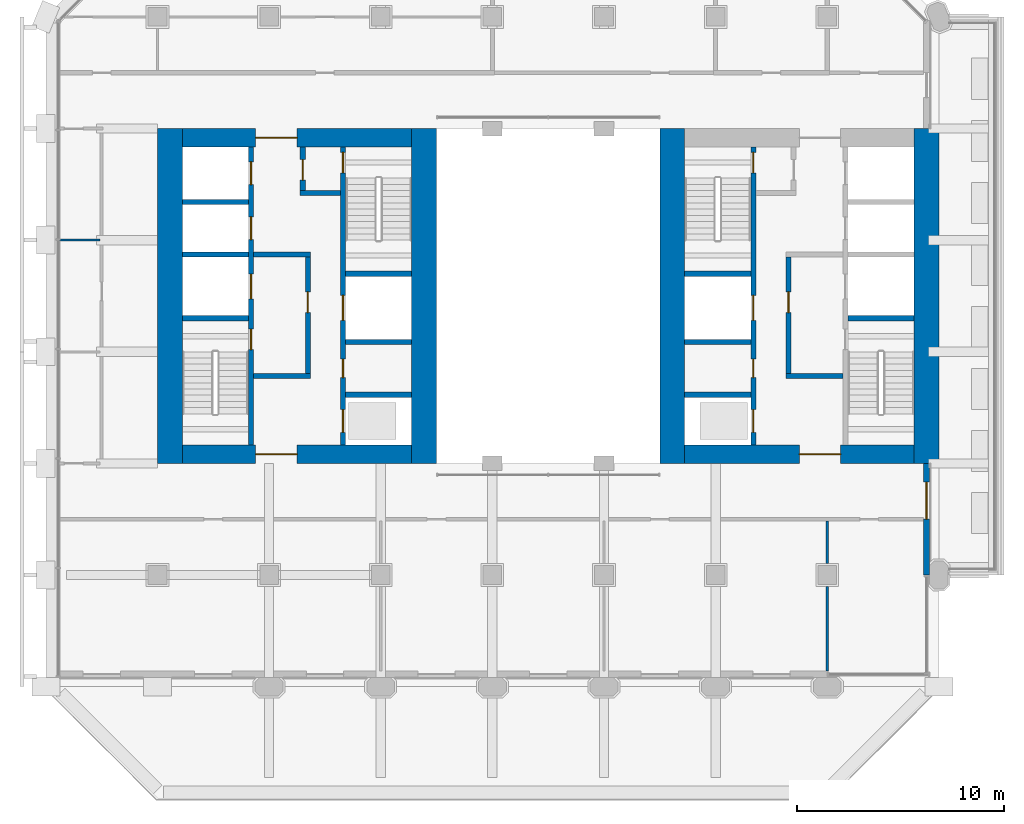
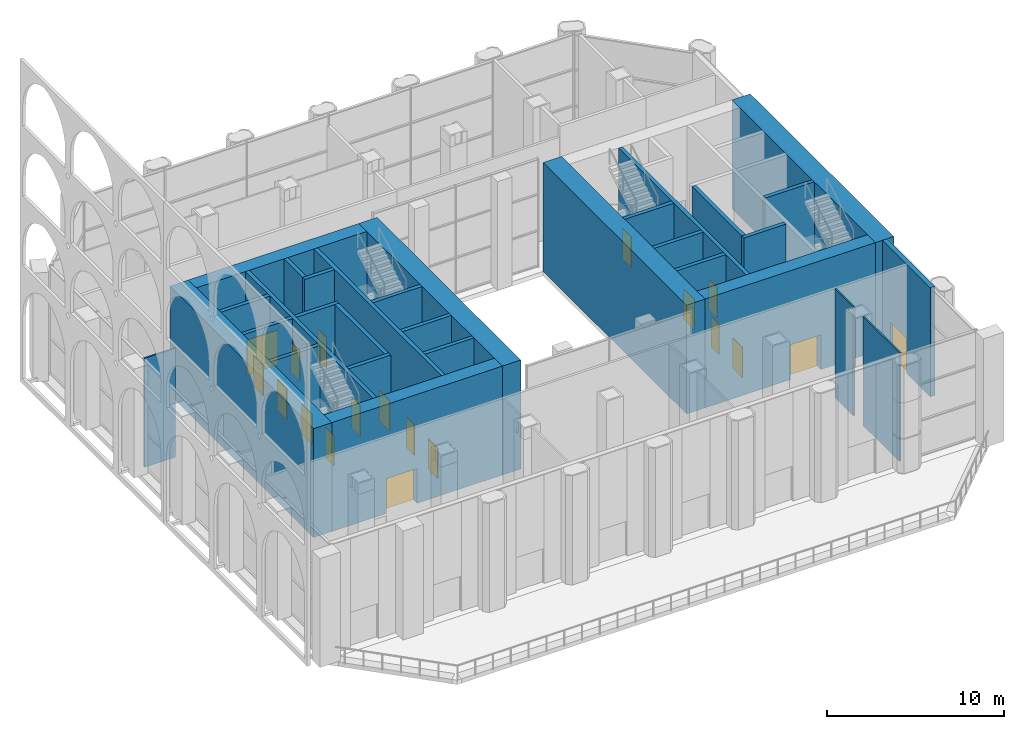
# One storey, part 10 of 20: 31 walls, 19 doors, 19 openings.
"""IFC4 building model written with IfcOpenShell, lengths in metres."""

from ifc_helpers import new_model, si_unit, direction, frame, frame_2d, origin, place, context, subcontext, project, spatial, rectangle, extrude, material, layer, layer_set, type_object, element, fill, save


model = new_model("IFC4")

# Units and contexts
model_context = context("Model", 3, precision=1e-05, world=origin(), true_north=direction((0.0, 1.0)))
body_context = subcontext(model_context, "Body", "Model", "MODEL_VIEW")
ifc_project = project(units=[si_unit("LENGTHUNIT", "METRE"), si_unit("AREAUNIT", "SQUARE_METRE"), si_unit("VOLUMEUNIT", "CUBIC_METRE"), si_unit("PLANEANGLEUNIT", "RADIAN"), si_unit("MASSUNIT", "GRAM", prefix="KILO")], contexts=[model_context])

# Site, building, storey
site_placement = place(None, origin())
site = spatial("IfcSite", under=ifc_project, at=site_placement, CompositionType="ELEMENT")
building_placement = place(site_placement, origin())
building = spatial("IfcBuilding", under=site, at=building_placement, Name="Tabaq Tower and Sports Hall", CompositionType="ELEMENT")
storey_placement = place(building_placement, frame((0.0, 0.0, 130.60009765625)))
storey = spatial("IfcBuildingStorey", under=building, at=storey_placement, Name="L31", CompositionType="ELEMENT", Elevation=130.60009765625)

# Walls
ifc_material_1 = material(Name="Concrete C50/60", Category="concrete")
ifc_layer_1 = layer(ifc_material_1, 1.199951171875)
ifc_layer_set_1 = layer_set([ifc_layer_1], Name="Core wall 1200 Concrete C50/60")
wall_type_1 = type_object("IfcWallType", Name="Core wall 1200 Concrete C50/60", PredefinedType="SOLIDWALL", material=ifc_layer_set_1)
for number, where, z_axis, x_axis, name in (
    (1, (6.0, 16.199951171875, 0.0), (0.0, 0.0, 1.0), (0.0, 1.0, 0.0), "Core wall W L31"),
    (2, (18.300048828125, 32.39990234375, 0.0), (0.0, 0.0, 1.0), (0.0, -1.0, 0.0), "Core wall W L31"),
    (3, (42.60009765625, 32.39990234375, 0.0), (0.0, 0.0, 1.0), (0.0, -1.0, 0.0), "Core wall E L31"),
    (4, (30.300048828125, 16.199951171875, 0.0), (0.0, 0.0, 1.0), (0.0, 1.0, 0.0), "Core wall E L31"),
):
    element("IfcWall", number, at=place(storey_placement, frame(where, z_axis=z_axis, x_axis=x_axis)), inside=storey, type_object=wall_type_1, Name=name, PredefinedType="SOLIDWALL", context=body_context, shape_type="SweptSolid", body=[
        extrude(rectangle(XDim=16.199951171875, YDim=1.199951171875, at=frame_2d((8.10009765625, 0.0))), origin(), (0.0, 0.0, 1.0), 7.5),
    ])

# Wall, opening, door
ifc_material_2 = material(Name="Concrete C50/60", Category="concrete")
ifc_layer_2 = layer(ifc_material_2, 0.89990234375)
ifc_layer_set_2 = layer_set([ifc_layer_2], Name="Core wall 900 Concrete C50/60")
wall_type_2 = type_object("IfcWallType", Name="Core wall 900 Concrete C50/60", PredefinedType="SOLIDWALL", material=ifc_layer_set_2)
wall_1_placement = place(storey_placement, frame((17.699951171875, 16.64990234375, 0.0), z_axis=(0.0, 0.0, 1.0), x_axis=(-1.0, 0.0, 0.0)))
wall_1 = element("IfcWall", 5, at=wall_1_placement, inside=storey, type_object=wall_type_2, Name="Core wall W L31", PredefinedType="SOLIDWALL", context=body_context, shape_type="SweptSolid", body=[
    extrude(rectangle(XDim=11.099853515625, YDim=0.89990234375, at=frame_2d((5.5498046875, 0.0))), origin(), (0.0, 0.0, 1.0), 7.5),
])
opening_1_placement = place(wall_1_placement, frame((5.550048828125, 0.0, 0.0)))
opening_1 = element("IfcOpeningElement", 6, at=opening_1_placement, cuts=wall_1, Name="Opening PD-WL31-01", PredefinedType="OPENING", context=body_context, shape_type="SweptSolid", body=[
    extrude(rectangle(XDim=2.0, YDim=2.39990234375, at=frame_2d((1.0, 1.199951171875))), frame((0.0, 0.449951171875, 0.0), z_axis=(0.0, -1.0, 0.0), x_axis=(1.0, 0.0, 0.0)), (0.0, 0.0, 1.0), 0.89990234375),
])
ifc_material_3 = material(Name="Steel fire door", Category="steel")
door_type_1 = type_object("IfcDoorType", Name="Core entrance door 2000", OperationType="DOUBLE_DOOR_SINGLE_SWING", PredefinedType="DOOR", material=ifc_material_3)
door_1_placement = place(opening_1_placement, origin())
door_1 = element("IfcDoor", 7, at=door_1_placement, inside=storey, type_object=door_type_1, Name="Core entrance south W L31", OperationType="DOUBLE_DOOR_SINGLE_SWING", OverallHeight=2.39990234375, OverallWidth=2.0, PredefinedType="DOOR", context=body_context, shape_type="SweptSolid", body=[
    extrude(rectangle(XDim=2.0, YDim=2.39990234375, at=frame_2d((1.0, 1.199951171875))), frame((0.0, 0.02490234375, 0.0), z_axis=(0.0, -1.0, 0.0), x_axis=(1.0, 0.0, 0.0)), (0.0, 0.0, 1.0), 0.050048828125),
])
fill(opening_1, door_1)

wall_2_placement = place(storey_placement, frame((6.60009765625, 31.949951171875, 0.0), z_axis=(0.0, 0.0, 1.0), x_axis=(1.0, 0.0, 0.0)))
wall_2 = element("IfcWall", 8, at=wall_2_placement, inside=storey, type_object=wall_type_2, Name="Core wall W L31", PredefinedType="SOLIDWALL", context=body_context, shape_type="SweptSolid", body=[
    extrude(rectangle(XDim=11.099853515625, YDim=0.89990234375, at=frame_2d((5.5498046875, 0.0))), origin(), (0.0, 0.0, 1.0), 7.5),
])
opening_2_placement = place(wall_2_placement, frame((3.550048828125, 0.0, 0.0)))
opening_2 = element("IfcOpeningElement", 9, at=opening_2_placement, cuts=wall_2, Name="Opening PD-WL31-02", PredefinedType="OPENING", context=body_context, shape_type="SweptSolid", body=[
    extrude(rectangle(XDim=2.0, YDim=2.39990234375, at=frame_2d((1.0, 1.199951171875))), frame((0.0, 0.449951171875, 0.0), z_axis=(0.0, -1.0, 0.0), x_axis=(1.0, 0.0, 0.0)), (0.0, 0.0, 1.0), 0.89990234375),
])
door_2_placement = place(opening_2_placement, origin())
door_2 = element("IfcDoor", 10, at=door_2_placement, inside=storey, type_object=door_type_1, Name="Core entrance north W L31", OperationType="DOUBLE_DOOR_SINGLE_SWING", OverallHeight=2.39990234375, OverallWidth=2.0, PredefinedType="DOOR", context=body_context, shape_type="SweptSolid", body=[
    extrude(rectangle(XDim=2.0, YDim=2.39990234375, at=frame_2d((1.0, 1.199951171875))), frame((0.0, 0.02490234375, 0.0), z_axis=(0.0, -1.0, 0.0), x_axis=(1.0, 0.0, 0.0)), (0.0, 0.0, 1.0), 0.050048828125),
])
fill(opening_2, door_2)

wall_3_placement = place(storey_placement, frame((42.0, 16.64990234375, 0.0), z_axis=(0.0, 0.0, 1.0), x_axis=(-1.0, 0.0, 0.0)))
wall_3 = element("IfcWall", 11, at=wall_3_placement, inside=storey, type_object=wall_type_2, Name="Core wall E L31", PredefinedType="SOLIDWALL", context=body_context, shape_type="SweptSolid", body=[
    extrude(rectangle(XDim=11.10009765625, YDim=0.89990234375, at=frame_2d((5.550048828125, 0.0))), origin(), (0.0, 0.0, 1.0), 7.5),
])
opening_3_placement = place(wall_3_placement, frame((3.550048828125, 0.0, 0.0)))
opening_3 = element("IfcOpeningElement", 12, at=opening_3_placement, cuts=wall_3, Name="Opening PD-EL31-01", PredefinedType="OPENING", context=body_context, shape_type="SweptSolid", body=[
    extrude(rectangle(XDim=2.0, YDim=2.39990234375, at=frame_2d((1.0, 1.199951171875))), frame((0.0, 0.449951171875, 0.0), z_axis=(0.0, -1.0, 0.0), x_axis=(1.0, 0.0, 0.0)), (0.0, 0.0, 1.0), 0.89990234375),
])
door_3_placement = place(opening_3_placement, origin())
door_3 = element("IfcDoor", 13, at=door_3_placement, inside=storey, type_object=door_type_1, Name="Core entrance south E L31", OperationType="DOUBLE_DOOR_SINGLE_SWING", OverallHeight=2.39990234375, OverallWidth=2.0, PredefinedType="DOOR", context=body_context, shape_type="SweptSolid", body=[
    extrude(rectangle(XDim=2.0, YDim=2.39990234375, at=frame_2d((1.0, 1.199951171875))), frame((0.0, 0.02490234375, 0.0), z_axis=(0.0, -1.0, 0.0), x_axis=(1.0, 0.0, 0.0)), (0.0, 0.0, 1.0), 0.050048828125),
])
fill(opening_3, door_3)

# Walls
ifc_material_4 = material(Name="Gypsum board on steel studs", Category="steel")
ifc_layer_3 = layer(ifc_material_4, 0.10009765625)
ifc_layer_set_3 = layer_set([ifc_layer_3], Name="Partition 100 Gypsum board")
wall_type_3 = type_object("IfcWallType", Name="Partition 100 Gypsum board", PredefinedType="PARTITIONING", material=ifc_layer_set_3)
wall_4_placement = place(storey_placement, frame((37.800048828125, 6.15087890625, 0.0), z_axis=(0.0, 0.0, 1.0), x_axis=(0.0, 1.0, 0.0)))
element("IfcWall", 14, at=wall_4_placement, inside=storey, type_object=wall_type_3, Name="Partition wall L31", PredefinedType="PARTITIONING", context=body_context, shape_type="SweptSolid", body=[
    extrude(rectangle(XDim=4.098388671875, YDim=0.10009765625, at=frame_2d((2.04931640625, 0.0))), origin(), (0.0, 0.0, 1.0), 7.5),
])
wall_5_placement = place(storey_placement, frame((37.800048828125, 11.3505859375, 0.0), z_axis=(0.0, 0.0, 1.0), x_axis=(0.0, 1.0, 0.0)))
element("IfcWall", 15, at=wall_5_placement, inside=storey, type_object=wall_type_3, Name="Partition wall L31", PredefinedType="PARTITIONING", context=body_context, shape_type="SweptSolid", body=[
    extrude(rectangle(XDim=2.074462890625, YDim=0.10009765625, at=frame_2d((1.037109375, 0.0))), origin(), (0.0, 0.0, 1.0), 7.5),
])
wall_6_placement = place(storey_placement, frame((2.625, 27.0, 0.0), z_axis=(0.0, 0.0, 1.0), x_axis=(-1.0, 0.0, 0.0)))
element("IfcWall", 16, at=wall_6_placement, inside=storey, type_object=wall_type_3, Name="Partition wall L31", PredefinedType="PARTITIONING", context=body_context, shape_type="SweptSolid", body=[
    extrude(rectangle(XDim=2.02490234375, YDim=0.10009765625, at=frame_2d((1.012451171875, 0.0))), origin(), (0.0, 0.0, 1.0), 7.5),
])

# Wall, openings, doors
ifc_material_5 = material(Name="Concrete C40/50", Category="concrete")
ifc_layer_4 = layer(ifc_material_5, 0.25)
ifc_layer_set_4 = layer_set([ifc_layer_4], Name="Shaft and stair wall 250 Concrete C40/50")
wall_type_4 = type_object("IfcWallType", Name="Shaft and stair wall 250 Concrete C40/50", PredefinedType="SOLIDWALL", material=ifc_layer_set_4)
wall_7_placement = place(storey_placement, frame((9.925048828125, 17.10009765625, 0.0), z_axis=(0.0, 0.0, 1.0), x_axis=(0.0, 1.0, 0.0)))
wall_7 = element("IfcWall", 17, at=wall_7_placement, inside=storey, type_object=wall_type_4, Name="Shaft wall W L31", PredefinedType="SOLIDWALL", context=body_context, shape_type="SweptSolid", body=[
    extrude(rectangle(XDim=14.39990234375, YDim=0.25, at=frame_2d((7.199951171875, 0.0))), origin(), (0.0, 0.0, 1.0), 7.5),
])
opening_4_placement = place(wall_7_placement, frame((4.60009765625, 0.0, 0.0)))
opening_4 = element("IfcOpeningElement", 18, at=opening_4_placement, cuts=wall_7, Name="Opening SD-WL31-03", PredefinedType="OPENING", context=body_context, shape_type="SweptSolid", body=[
    extrude(rectangle(XDim=1.0, YDim=2.10009765625, at=frame_2d((0.5, 1.050048828125))), frame((0.0, 0.125, 0.0), z_axis=(0.0, -1.0, 0.0), x_axis=(1.0, 0.0, 0.0)), (0.0, 0.0, 1.0), 0.25),
])
opening_5_placement = place(wall_7_placement, frame((7.0625, 0.0, 0.0)))
opening_5 = element("IfcOpeningElement", 19, at=opening_5_placement, cuts=wall_7, Name="Opening LD-FF1-L31", PredefinedType="OPENING", context=body_context, shape_type="SweptSolid", body=[
    extrude(rectangle(XDim=1.199951171875, YDim=2.10009765625, at=frame_2d((0.60009765625, 1.050048828125))), frame((0.0, 0.125, 0.0), z_axis=(0.0, -1.0, 0.0), x_axis=(1.0, 0.0, 0.0)), (0.0, 0.0, 1.0), 0.25),
])
opening_6_placement = place(wall_7_placement, frame((9.925048828125, 0.0, 0.0)))
opening_6 = element("IfcOpeningElement", 20, at=opening_6_placement, cuts=wall_7, Name="Opening LD-LR1-L31", PredefinedType="OPENING", context=body_context, shape_type="SweptSolid", body=[
    extrude(rectangle(XDim=1.10009765625, YDim=2.10009765625, at=frame_2d((0.550048828125, 1.050048828125))), frame((0.0, 0.125, 0.0), z_axis=(0.0, -1.0, 0.0), x_axis=(1.0, 0.0, 0.0)), (0.0, 0.0, 1.0), 0.25),
])
opening_7_placement = place(wall_7_placement, frame((12.58740234375, 0.0, 0.0)))
opening_7 = element("IfcOpeningElement", 21, at=opening_7_placement, cuts=wall_7, Name="Opening LD-LR2-L31", PredefinedType="OPENING", context=body_context, shape_type="SweptSolid", body=[
    extrude(rectangle(XDim=1.10009765625, YDim=2.10009765625, at=frame_2d((0.550048828125, 1.050048828125))), frame((0.0, 0.125, 0.0), z_axis=(0.0, -1.0, 0.0), x_axis=(1.0, 0.0, 0.0)), (0.0, 0.0, 1.0), 0.25),
])
ifc_material_6 = material(Name="Stainless steel", Category="steel")
door_type_2 = type_object("IfcDoorType", Name="Lift landing door 1100", OperationType="DOUBLE_DOOR_SLIDING", PredefinedType="DOOR", material=ifc_material_6)
door_4_placement = place(opening_6_placement, origin())
door_4 = element("IfcDoor", 22, at=door_4_placement, inside=storey, type_object=door_type_2, Name="Lift landing door LR1 W L31", OperationType="DOUBLE_DOOR_SLIDING", OverallHeight=2.10009765625, OverallWidth=1.10009765625, PredefinedType="DOOR", context=body_context, shape_type="SweptSolid", body=[
    extrude(rectangle(XDim=1.10009765625, YDim=2.10009765625, at=frame_2d((0.550048828125, 1.050048828125))), frame((0.0, 0.02490234375, 0.0), z_axis=(0.0, -1.0, 0.0), x_axis=(1.0, 0.0, 0.0)), (0.0, 0.0, 1.0), 0.050048828125),
])
fill(opening_6, door_4)
door_5_placement = place(opening_7_placement, origin())
door_5 = element("IfcDoor", 23, at=door_5_placement, inside=storey, type_object=door_type_2, Name="Lift landing door LR2 W L31", OperationType="DOUBLE_DOOR_SLIDING", OverallHeight=2.10009765625, OverallWidth=1.10009765625, PredefinedType="DOOR", context=body_context, shape_type="SweptSolid", body=[
    extrude(rectangle(XDim=1.10009765625, YDim=2.10009765625, at=frame_2d((0.550048828125, 1.050048828125))), frame((0.0, 0.02490234375, 0.0), z_axis=(0.0, -1.0, 0.0), x_axis=(1.0, 0.0, 0.0)), (0.0, 0.0, 1.0), 0.050048828125),
])
fill(opening_7, door_5)
ifc_material_7 = material(Name="Stainless steel", Category="steel")
door_type_3 = type_object("IfcDoorType", Name="Lift landing door 1200", OperationType="DOUBLE_DOOR_SLIDING", PredefinedType="DOOR", material=ifc_material_7)
door_6_placement = place(opening_5_placement, origin())
door_6 = element("IfcDoor", 24, at=door_6_placement, inside=storey, type_object=door_type_3, Name="Lift landing door FF1 W L31", OperationType="DOUBLE_DOOR_SLIDING", OverallHeight=2.10009765625, OverallWidth=1.199951171875, PredefinedType="DOOR", context=body_context, shape_type="SweptSolid", body=[
    extrude(rectangle(XDim=1.199951171875, YDim=2.10009765625, at=frame_2d((0.60009765625, 1.050048828125))), frame((0.0, 0.02490234375, 0.0), z_axis=(0.0, -1.0, 0.0), x_axis=(1.0, 0.0, 0.0)), (0.0, 0.0, 1.0), 0.050048828125),
])
fill(opening_5, door_6)
ifc_material_8 = material(Name="Steel fire door", Category="steel")
door_type_4 = type_object("IfcDoorType", Name="Stair door 1000", OperationType="SINGLE_SWING_LEFT", PredefinedType="DOOR", material=ifc_material_8)
door_7_placement = place(opening_4_placement, origin())
door_7 = element("IfcDoor", 25, at=door_7_placement, inside=storey, type_object=door_type_4, Name="Stair door ST1 W L31", OperationType="SINGLE_SWING_LEFT", OverallHeight=2.10009765625, OverallWidth=1.0, PredefinedType="DOOR", context=body_context, shape_type="SweptSolid", body=[
    extrude(rectangle(XDim=1.0, YDim=2.10009765625, at=frame_2d((0.5, 1.050048828125))), frame((0.0, 0.02490234375, 0.0), z_axis=(0.0, -1.0, 0.0), x_axis=(1.0, 0.0, 0.0)), (0.0, 0.0, 1.0), 0.050048828125),
])
fill(opening_4, door_7)

wall_8_placement = place(storey_placement, frame((14.375, 17.10009765625, 0.0), z_axis=(0.0, 0.0, 1.0), x_axis=(0.0, 1.0, 0.0)))
wall_8 = element("IfcWall", 26, at=wall_8_placement, inside=storey, type_object=wall_type_4, Name="Shaft wall W L31", PredefinedType="SOLIDWALL", context=body_context, shape_type="SweptSolid", body=[
    extrude(rectangle(XDim=14.39990234375, YDim=0.25, at=frame_2d((7.199951171875, 0.0))), origin(), (0.0, 0.0, 1.0), 7.5),
])
opening_8_placement = place(wall_8_placement, frame((13.14990234375, 0.0, 0.0)))
opening_8 = element("IfcOpeningElement", 27, at=opening_8_placement, cuts=wall_8, Name="Opening SD-WL31-05", PredefinedType="OPENING", context=body_context, shape_type="SweptSolid", body=[
    extrude(rectangle(XDim=1.0, YDim=2.10009765625, at=frame_2d((0.5, 1.050048828125))), frame((0.0, 0.125, 0.0), z_axis=(0.0, -1.0, 0.0), x_axis=(1.0, 0.0, 0.0)), (0.0, 0.0, 1.0), 0.25),
])
opening_9_placement = place(wall_8_placement, frame((0.60009765625, 0.0, 0.0)))
opening_9 = element("IfcOpeningElement", 28, at=opening_9_placement, cuts=wall_8, Name="Opening LD-MR1-L31", PredefinedType="OPENING", context=body_context, shape_type="SweptSolid", body=[
    extrude(rectangle(XDim=1.10009765625, YDim=2.10009765625, at=frame_2d((0.550048828125, 1.050048828125))), frame((0.0, 0.125, 0.0), z_axis=(0.0, -1.0, 0.0), x_axis=(1.0, 0.0, 0.0)), (0.0, 0.0, 1.0), 0.25),
])
opening_10_placement = place(wall_8_placement, frame((6.02490234375, 0.0, 0.0)))
opening_10 = element("IfcOpeningElement", 29, at=opening_10_placement, cuts=wall_8, Name="Opening LD-SH1-L31", PredefinedType="OPENING", context=body_context, shape_type="SweptSolid", body=[
    extrude(rectangle(XDim=1.199951171875, YDim=2.10009765625, at=frame_2d((0.60009765625, 1.050048828125))), frame((0.0, 0.125, 0.0), z_axis=(0.0, -1.0, 0.0), x_axis=(1.0, 0.0, 0.0)), (0.0, 0.0, 1.0), 0.25),
])
opening_11_placement = place(wall_8_placement, frame((3.25, 0.0, 0.0)))
opening_11 = element("IfcOpeningElement", 30, at=opening_11_placement, cuts=wall_8, Name="Opening RD-WL31-12", PredefinedType="OPENING", context=body_context, shape_type="SweptSolid", body=[
    extrude(rectangle(XDim=0.89990234375, YDim=2.10009765625, at=frame_2d((0.449951171875, 1.050048828125))), frame((0.0, 0.125, 0.0), z_axis=(0.0, -1.0, 0.0), x_axis=(1.0, 0.0, 0.0)), (0.0, 0.0, 1.0), 0.25),
])
ifc_material_9 = material(Name="Steel fire door", Category="steel")
door_type_5 = type_object("IfcDoorType", Name="Core room door 900", OperationType="SINGLE_SWING_LEFT", PredefinedType="DOOR", material=ifc_material_9)
door_8_placement = place(opening_11_placement, origin())
door_8 = element("IfcDoor", 31, at=door_8_placement, inside=storey, type_object=door_type_5, Name="Door Cleaner's Store W L31", OperationType="SINGLE_SWING_LEFT", OverallHeight=2.10009765625, OverallWidth=0.89990234375, PredefinedType="DOOR", context=body_context, shape_type="SweptSolid", body=[
    extrude(rectangle(XDim=0.89990234375, YDim=2.10009765625, at=frame_2d((0.449951171875, 1.050048828125))), frame((0.0, 0.02490234375, 0.0), z_axis=(0.0, -1.0, 0.0), x_axis=(1.0, 0.0, 0.0)), (0.0, 0.0, 1.0), 0.050048828125),
])
fill(opening_11, door_8)
door_9_placement = place(opening_9_placement, origin())
door_9 = element("IfcDoor", 32, at=door_9_placement, inside=storey, type_object=door_type_2, Name="Lift landing door MR1 W L31", OperationType="DOUBLE_DOOR_SLIDING", OverallHeight=2.10009765625, OverallWidth=1.10009765625, PredefinedType="DOOR", context=body_context, shape_type="SweptSolid", body=[
    extrude(rectangle(XDim=1.10009765625, YDim=2.10009765625, at=frame_2d((0.550048828125, 1.050048828125))), frame((0.0, 0.02490234375, 0.0), z_axis=(0.0, -1.0, 0.0), x_axis=(1.0, 0.0, 0.0)), (0.0, 0.0, 1.0), 0.050048828125),
])
fill(opening_9, door_9)
door_10_placement = place(opening_10_placement, origin())
door_10 = element("IfcDoor", 33, at=door_10_placement, inside=storey, type_object=door_type_3, Name="Lift landing door SH1 W L31", OperationType="DOUBLE_DOOR_SLIDING", OverallHeight=2.10009765625, OverallWidth=1.199951171875, PredefinedType="DOOR", context=body_context, shape_type="SweptSolid", body=[
    extrude(rectangle(XDim=1.199951171875, YDim=2.10009765625, at=frame_2d((0.60009765625, 1.050048828125))), frame((0.0, 0.02490234375, 0.0), z_axis=(0.0, -1.0, 0.0), x_axis=(1.0, 0.0, 0.0)), (0.0, 0.0, 1.0), 0.050048828125),
])
fill(opening_10, door_10)
door_11_placement = place(opening_8_placement, origin())
door_11 = element("IfcDoor", 34, at=door_11_placement, inside=storey, type_object=door_type_4, Name="Stair door ST2 W L31", OperationType="SINGLE_SWING_LEFT", OverallHeight=2.10009765625, OverallWidth=1.0, PredefinedType="DOOR", context=body_context, shape_type="SweptSolid", body=[
    extrude(rectangle(XDim=1.0, YDim=2.10009765625, at=frame_2d((0.5, 1.050048828125))), frame((0.0, 0.02490234375, 0.0), z_axis=(0.0, -1.0, 0.0), x_axis=(1.0, 0.0, 0.0)), (0.0, 0.0, 1.0), 0.050048828125),
])
fill(opening_8, door_11)

# Walls
for number, where, z_axis, x_axis, name in (
    (35, (6.60009765625, 23.22509765625, 0.0), (0.0, 0.0, 1.0), (1.0, 0.0, 0.0), "Stair enclosure wall W L31"),
    (36, (14.5, 25.375, 0.0), (0.0, 0.0, 1.0), (1.0, 0.0, 0.0), "Stair enclosure wall W L31"),
    (37, (14.5, 22.074951171875, 0.0), (0.0, 0.0, 1.0), (1.0, 0.0, 0.0), "Shaft wall W L31"),
    (38, (6.60009765625, 26.300048828125, 0.0), (0.0, 0.0, 1.0), (1.0, 0.0, 0.0), "Shaft wall W L31"),
):
    element("IfcWall", number, at=place(storey_placement, frame(where, z_axis=z_axis, x_axis=x_axis)), inside=storey, type_object=wall_type_4, Name=name, PredefinedType="SOLIDWALL", context=body_context, shape_type="SweptSolid", body=[
        extrude(rectangle(XDim=3.199951171875, YDim=0.25, at=frame_2d((1.60009765625, 0.0))), origin(), (0.0, 0.0, 1.0), 7.5),
    ])
for number, where, z_axis, x_axis, name in (
    (39, (10.050048828125, 26.300048828125, 0.0), (0.0, 0.0, 1.0), (1.0, 0.0, 0.0), "Fire-fighting lobby wall W L31"),
    (40, (10.050048828125, 20.425048828125, 0.0), (0.0, 0.0, 1.0), (1.0, 0.0, 0.0), "Fire-fighting lobby wall W L31"),
):
    element("IfcWall", number, at=place(storey_placement, frame(where, z_axis=z_axis, x_axis=x_axis)), inside=storey, type_object=wall_type_4, Name=name, PredefinedType="SOLIDWALL", context=body_context, shape_type="SweptSolid", body=[
        extrude(rectangle(XDim=2.75, YDim=0.25, at=frame_2d((1.375, 0.0))), origin(), (0.0, 0.0, 1.0), 7.5),
    ])

# Wall, opening, door
wall_9_placement = place(storey_placement, frame((12.425048828125, 29.39990234375, 0.0), z_axis=(0.0, 0.0, 1.0), x_axis=(0.0, 1.0, 0.0)))
wall_9 = element("IfcWall", 41, at=wall_9_placement, inside=storey, type_object=wall_type_4, Name="Fire-fighting lobby wall W L31", PredefinedType="SOLIDWALL", context=body_context, shape_type="SweptSolid", body=[
    extrude(rectangle(XDim=2.10009765625, YDim=0.25, at=frame_2d((1.050048828125, 0.0))), origin(), (0.0, 0.0, 1.0), 7.5),
])
opening_12_placement = place(wall_9_placement, frame((0.5, 0.0, 0.0)))
opening_12 = element("IfcOpeningElement", 42, at=opening_12_placement, cuts=wall_9, Name="Opening FD-WL31-06", PredefinedType="OPENING", context=body_context, shape_type="SweptSolid", body=[
    extrude(rectangle(XDim=1.0, YDim=2.10009765625, at=frame_2d((0.5, 1.050048828125))), frame((0.0, 0.125, 0.0), z_axis=(0.0, -1.0, 0.0), x_axis=(1.0, 0.0, 0.0)), (0.0, 0.0, 1.0), 0.25),
])
ifc_material_10 = material(Name="Steel fire door", Category="steel")
door_type_6 = type_object("IfcDoorType", Name="Fire-fighting lobby door 1000", OperationType="SINGLE_SWING_LEFT", PredefinedType="DOOR", material=ifc_material_10)
door_12_placement = place(opening_12_placement, origin())
door_12 = element("IfcDoor", 43, at=door_12_placement, inside=storey, type_object=door_type_6, Name="Stair lobby door W L31", OperationType="SINGLE_SWING_LEFT", OverallHeight=2.10009765625, OverallWidth=1.0, PredefinedType="DOOR", context=body_context, shape_type="SweptSolid", body=[
    extrude(rectangle(XDim=1.0, YDim=2.10009765625, at=frame_2d((0.5, 1.050048828125))), frame((0.0, 0.02490234375, 0.0), z_axis=(0.0, -1.0, 0.0), x_axis=(1.0, 0.0, 0.0)), (0.0, 0.0, 1.0), 0.050048828125),
])
fill(opening_12, door_12)

# Wall
wall_10_placement = place(storey_placement, frame((12.300048828125, 29.27490234375, 0.0), z_axis=(0.0, 0.0, 1.0), x_axis=(1.0, 0.0, 0.0)))
element("IfcWall", 44, at=wall_10_placement, inside=storey, type_object=wall_type_4, Name="Fire-fighting lobby wall W L31", PredefinedType="SOLIDWALL", context=body_context, shape_type="SweptSolid", body=[
    extrude(rectangle(XDim=1.949951171875, YDim=0.25, at=frame_2d((0.97509765625, 0.0))), origin(), (0.0, 0.0, 1.0), 7.5),
])

# Wall, opening, door
wall_11_placement = place(storey_placement, frame((12.675048828125, 20.550048828125, 0.0), z_axis=(0.0, 0.0, 1.0), x_axis=(0.0, 1.0, 0.0)))
wall_11 = element("IfcWall", 45, at=wall_11_placement, inside=storey, type_object=wall_type_4, Name="Fire-fighting lobby wall W L31", PredefinedType="SOLIDWALL", context=body_context, shape_type="SweptSolid", body=[
    extrude(rectangle(XDim=5.625, YDim=0.25, at=frame_2d((2.8125, 0.0))), origin(), (0.0, 0.0, 1.0), 7.5),
])
opening_13_placement = place(wall_11_placement, frame((2.949951171875, 0.0, 0.0)))
opening_13 = element("IfcOpeningElement", 46, at=opening_13_placement, cuts=wall_11, Name="Opening FD-WL31-04", PredefinedType="OPENING", context=body_context, shape_type="SweptSolid", body=[
    extrude(rectangle(XDim=1.0, YDim=2.10009765625, at=frame_2d((0.5, 1.050048828125))), frame((0.0, 0.125, 0.0), z_axis=(0.0, -1.0, 0.0), x_axis=(1.0, 0.0, 0.0)), (0.0, 0.0, 1.0), 0.25),
])
door_13_placement = place(opening_13_placement, origin())
door_13 = element("IfcDoor", 47, at=door_13_placement, inside=storey, type_object=door_type_6, Name="Fire-fighting lobby door W L31", OperationType="SINGLE_SWING_LEFT", OverallHeight=2.10009765625, OverallWidth=1.0, PredefinedType="DOOR", context=body_context, shape_type="SweptSolid", body=[
    extrude(rectangle(XDim=1.0, YDim=2.10009765625, at=frame_2d((0.5, 1.050048828125))), frame((0.0, 0.02490234375, 0.0), z_axis=(0.0, -1.0, 0.0), x_axis=(1.0, 0.0, 0.0)), (0.0, 0.0, 1.0), 0.050048828125),
])
fill(opening_13, door_13)

# Walls
for number, where, z_axis, x_axis, name in (
    (48, (6.60009765625, 28.85009765625, 0.0), (0.0, 0.0, 1.0), (1.0, 0.0, 0.0), "Shaft wall W L31"),
    (49, (14.5, 19.52490234375, 0.0), (0.0, 0.0, 1.0), (1.0, 0.0, 0.0), "Shaft wall W L31"),
):
    element("IfcWall", number, at=place(storey_placement, frame(where, z_axis=z_axis, x_axis=x_axis)), inside=storey, type_object=wall_type_4, Name=name, PredefinedType="SOLIDWALL", context=body_context, shape_type="SweptSolid", body=[
        extrude(rectangle(XDim=3.199951171875, YDim=0.25, at=frame_2d((1.60009765625, 0.0))), origin(), (0.0, 0.0, 1.0), 7.5),
    ])

# Wall, openings, doors
wall_12_placement = place(storey_placement, frame((34.22509765625, 17.10009765625, 0.0), z_axis=(0.0, 0.0, 1.0), x_axis=(0.0, 1.0, 0.0)))
wall_12 = element("IfcWall", 50, at=wall_12_placement, inside=storey, type_object=wall_type_4, Name="Shaft wall E L31", PredefinedType="SOLIDWALL", context=body_context, shape_type="SweptSolid", body=[
    extrude(rectangle(XDim=14.39990234375, YDim=0.25, at=frame_2d((7.199951171875, 0.0))), origin(), (0.0, 0.0, 1.0), 7.5),
])
opening_14_placement = place(wall_12_placement, frame((13.14990234375, 0.0, 0.0)))
opening_14 = element("IfcOpeningElement", 51, at=opening_14_placement, cuts=wall_12, Name="Opening SD-EL31-05", PredefinedType="OPENING", context=body_context, shape_type="SweptSolid", body=[
    extrude(rectangle(XDim=1.0, YDim=2.10009765625, at=frame_2d((0.5, 1.050048828125))), frame((0.0, 0.125, 0.0), z_axis=(0.0, -1.0, 0.0), x_axis=(1.0, 0.0, 0.0)), (0.0, 0.0, 1.0), 0.25),
])
opening_15_placement = place(wall_12_placement, frame((0.60009765625, 0.0, 0.0)))
opening_15 = element("IfcOpeningElement", 52, at=opening_15_placement, cuts=wall_12, Name="Opening LD-MR2-L31", PredefinedType="OPENING", context=body_context, shape_type="SweptSolid", body=[
    extrude(rectangle(XDim=1.10009765625, YDim=2.10009765625, at=frame_2d((0.550048828125, 1.050048828125))), frame((0.0, 0.125, 0.0), z_axis=(0.0, -1.0, 0.0), x_axis=(1.0, 0.0, 0.0)), (0.0, 0.0, 1.0), 0.25),
])
opening_16_placement = place(wall_12_placement, frame((6.02490234375, 0.0, 0.0)))
opening_16 = element("IfcOpeningElement", 53, at=opening_16_placement, cuts=wall_12, Name="Opening LD-SH2-L31", PredefinedType="OPENING", context=body_context, shape_type="SweptSolid", body=[
    extrude(rectangle(XDim=1.199951171875, YDim=2.10009765625, at=frame_2d((0.60009765625, 1.050048828125))), frame((0.0, 0.125, 0.0), z_axis=(0.0, -1.0, 0.0), x_axis=(1.0, 0.0, 0.0)), (0.0, 0.0, 1.0), 0.25),
])
opening_17_placement = place(wall_12_placement, frame((3.25, 0.0, 0.0)))
opening_17 = element("IfcOpeningElement", 54, at=opening_17_placement, cuts=wall_12, Name="Opening RD-EL31-12", PredefinedType="OPENING", context=body_context, shape_type="SweptSolid", body=[
    extrude(rectangle(XDim=0.89990234375, YDim=2.10009765625, at=frame_2d((0.449951171875, 1.050048828125))), frame((0.0, 0.125, 0.0), z_axis=(0.0, -1.0, 0.0), x_axis=(1.0, 0.0, 0.0)), (0.0, 0.0, 1.0), 0.25),
])
door_14_placement = place(opening_17_placement, origin())
door_14 = element("IfcDoor", 55, at=door_14_placement, inside=storey, type_object=door_type_5, Name="Door Cleaner's Store E L31", OperationType="SINGLE_SWING_LEFT", OverallHeight=2.10009765625, OverallWidth=0.89990234375, PredefinedType="DOOR", context=body_context, shape_type="SweptSolid", body=[
    extrude(rectangle(XDim=0.89990234375, YDim=2.10009765625, at=frame_2d((0.449951171875, 1.050048828125))), frame((0.0, 0.02490234375, 0.0), z_axis=(0.0, -1.0, 0.0), x_axis=(1.0, 0.0, 0.0)), (0.0, 0.0, 1.0), 0.050048828125),
])
fill(opening_17, door_14)
door_15_placement = place(opening_15_placement, origin())
door_15 = element("IfcDoor", 56, at=door_15_placement, inside=storey, type_object=door_type_2, Name="Lift landing door MR2 E L31", OperationType="DOUBLE_DOOR_SLIDING", OverallHeight=2.10009765625, OverallWidth=1.10009765625, PredefinedType="DOOR", context=body_context, shape_type="SweptSolid", body=[
    extrude(rectangle(XDim=1.10009765625, YDim=2.10009765625, at=frame_2d((0.550048828125, 1.050048828125))), frame((0.0, 0.02490234375, 0.0), z_axis=(0.0, -1.0, 0.0), x_axis=(1.0, 0.0, 0.0)), (0.0, 0.0, 1.0), 0.050048828125),
])
fill(opening_15, door_15)
door_16_placement = place(opening_16_placement, origin())
door_16 = element("IfcDoor", 57, at=door_16_placement, inside=storey, type_object=door_type_3, Name="Lift landing door SH2 E L31", OperationType="DOUBLE_DOOR_SLIDING", OverallHeight=2.10009765625, OverallWidth=1.199951171875, PredefinedType="DOOR", context=body_context, shape_type="SweptSolid", body=[
    extrude(rectangle(XDim=1.199951171875, YDim=2.10009765625, at=frame_2d((0.60009765625, 1.050048828125))), frame((0.0, 0.02490234375, 0.0), z_axis=(0.0, -1.0, 0.0), x_axis=(1.0, 0.0, 0.0)), (0.0, 0.0, 1.0), 0.050048828125),
])
fill(opening_16, door_16)
door_17_placement = place(opening_14_placement, origin())
door_17 = element("IfcDoor", 58, at=door_17_placement, inside=storey, type_object=door_type_4, Name="Stair door ST4 E L31", OperationType="SINGLE_SWING_LEFT", OverallHeight=2.10009765625, OverallWidth=1.0, PredefinedType="DOOR", context=body_context, shape_type="SweptSolid", body=[
    extrude(rectangle(XDim=1.0, YDim=2.10009765625, at=frame_2d((0.5, 1.050048828125))), frame((0.0, 0.02490234375, 0.0), z_axis=(0.0, -1.0, 0.0), x_axis=(1.0, 0.0, 0.0)), (0.0, 0.0, 1.0), 0.050048828125),
])
fill(opening_14, door_17)

# Walls
wall_13_placement = place(storey_placement, frame((38.800048828125, 23.22509765625, 0.0), z_axis=(0.0, 0.0, 1.0), x_axis=(1.0, 0.0, 0.0)))
element("IfcWall", 59, at=wall_13_placement, inside=storey, type_object=wall_type_4, Name="Stair enclosure wall E L31", PredefinedType="SOLIDWALL", context=body_context, shape_type="SweptSolid", body=[
    extrude(rectangle(XDim=3.199951171875, YDim=0.25, at=frame_2d((1.60009765625, 0.0))), origin(), (0.0, 0.0, 1.0), 7.5),
])
for number, where, z_axis, x_axis, name in (
    (60, (30.89990234375, 25.375, 0.0), (0.0, 0.0, 1.0), (1.0, 0.0, 0.0), "Stair enclosure wall E L31"),
    (61, (30.89990234375, 22.074951171875, 0.0), (0.0, 0.0, 1.0), (1.0, 0.0, 0.0), "Shaft wall E L31"),
):
    element("IfcWall", number, at=place(storey_placement, frame(where, z_axis=z_axis, x_axis=x_axis)), inside=storey, type_object=wall_type_4, Name=name, PredefinedType="SOLIDWALL", context=body_context, shape_type="SweptSolid", body=[
        extrude(rectangle(XDim=3.2001953125, YDim=0.25, at=frame_2d((1.60009765625, 0.0))), origin(), (0.0, 0.0, 1.0), 7.5),
    ])
wall_14_placement = place(storey_placement, frame((35.800048828125, 20.425048828125, 0.0), z_axis=(0.0, 0.0, 1.0), x_axis=(1.0, 0.0, 0.0)))
element("IfcWall", 62, at=wall_14_placement, inside=storey, type_object=wall_type_4, Name="Fire-fighting lobby wall E L31", PredefinedType="SOLIDWALL", context=body_context, shape_type="SweptSolid", body=[
    extrude(rectangle(XDim=2.75, YDim=0.25, at=frame_2d((1.375, 0.0))), origin(), (0.0, 0.0, 1.0), 7.5),
])

# Wall, opening, door
wall_15_placement = place(storey_placement, frame((35.925048828125, 20.550048828125, 0.0), z_axis=(0.0, 0.0, 1.0), x_axis=(0.0, 1.0, 0.0)))
wall_15 = element("IfcWall", 63, at=wall_15_placement, inside=storey, type_object=wall_type_4, Name="Fire-fighting lobby wall E L31", PredefinedType="SOLIDWALL", context=body_context, shape_type="SweptSolid", body=[
    extrude(rectangle(XDim=5.625, YDim=0.25, at=frame_2d((2.8125, 0.0))), origin(), (0.0, 0.0, 1.0), 7.5),
])
opening_18_placement = place(wall_15_placement, frame((2.949951171875, 0.0, 0.0)))
opening_18 = element("IfcOpeningElement", 64, at=opening_18_placement, cuts=wall_15, Name="Opening FD-EL31-04", PredefinedType="OPENING", context=body_context, shape_type="SweptSolid", body=[
    extrude(rectangle(XDim=1.0, YDim=2.10009765625, at=frame_2d((0.5, 1.050048828125))), frame((0.0, 0.125, 0.0), z_axis=(0.0, -1.0, 0.0), x_axis=(1.0, 0.0, 0.0)), (0.0, 0.0, 1.0), 0.25),
])
door_18_placement = place(opening_18_placement, origin())
door_18 = element("IfcDoor", 65, at=door_18_placement, inside=storey, type_object=door_type_6, Name="Fire-fighting lobby door E L31", OperationType="SINGLE_SWING_LEFT", OverallHeight=2.10009765625, OverallWidth=1.0, PredefinedType="DOOR", context=body_context, shape_type="SweptSolid", body=[
    extrude(rectangle(XDim=1.0, YDim=2.10009765625, at=frame_2d((0.5, 1.050048828125))), frame((0.0, 0.02490234375, 0.0), z_axis=(0.0, -1.0, 0.0), x_axis=(1.0, 0.0, 0.0)), (0.0, 0.0, 1.0), 0.050048828125),
])
fill(opening_18, door_18)

# Wall
wall_16_placement = place(storey_placement, frame((30.89990234375, 19.52490234375, 0.0), z_axis=(0.0, 0.0, 1.0), x_axis=(1.0, 0.0, 0.0)))
element("IfcWall", 66, at=wall_16_placement, inside=storey, type_object=wall_type_4, Name="Shaft wall E L31", PredefinedType="SOLIDWALL", context=body_context, shape_type="SweptSolid", body=[
    extrude(rectangle(XDim=3.2001953125, YDim=0.25, at=frame_2d((1.60009765625, 0.0))), origin(), (0.0, 0.0, 1.0), 7.5),
])

# Wall, opening, door
ifc_material_11 = material(Name="White precast concrete C60/75", Category="concrete")
ifc_layer_5 = layer(ifc_material_11, 0.300048828125)
ifc_layer_set_5 = layer_set([ifc_layer_5], Name="White precast concrete C60/75 external wall 300")
wall_type_5 = type_object("IfcWallType", Name="White precast concrete C60/75 external wall 300", PredefinedType="SOLIDWALL", material=ifc_layer_set_5)
wall_17_placement = place(storey_placement, frame((42.60009765625, 10.800048828125, 0.0), z_axis=(0.0, 0.0, 1.0), x_axis=(0.0, 1.0, 0.0)))
wall_17 = element("IfcWall", 67, at=wall_17_placement, inside=storey, type_object=wall_type_5, Name="External Wall L31 E", PredefinedType="SOLIDWALL", context=body_context, shape_type="SweptSolid", body=[
    extrude(rectangle(XDim=5.39990234375, YDim=0.300048828125, at=frame_2d((2.699951171875, 0.0))), origin(), (0.0, 0.0, 1.0), 7.5),
])
opening_19_placement = place(wall_17_placement, frame((2.699951171875, 0.0, 0.0)))
opening_19 = element("IfcOpeningElement", 68, at=opening_19_placement, cuts=wall_17, Name="Opening TD3108", PredefinedType="OPENING", context=body_context, shape_type="SweptSolid", body=[
    extrude(rectangle(XDim=1.800048828125, YDim=2.39990234375, at=frame_2d((0.89990234375, 1.199951171875))), frame((0.0, 0.16015625, 0.0), z_axis=(0.0, -1.0, 0.0), x_axis=(1.0, 0.0, 0.0)), (0.0, 0.0, 1.0), 0.320068359375),
])
ifc_material_12 = material(Name="Aluminium framed clear glazing", Category="aluminium")
door_type_7 = type_object("IfcDoorType", Name="Terrace door TD1", OperationType="DOUBLE_DOOR_DOUBLE_SWING", PredefinedType="DOOR", material=ifc_material_12)
door_19_placement = place(opening_19_placement, origin())
door_19 = element("IfcDoor", 69, at=door_19_placement, inside=storey, type_object=door_type_7, Name="Terrace door TD3108", OperationType="DOUBLE_DOOR_DOUBLE_SWING", OverallHeight=2.39990234375, OverallWidth=1.800048828125, PredefinedType="DOOR", context=body_context, shape_type="SweptSolid", body=[
    extrude(rectangle(XDim=1.800048828125, YDim=2.39990234375, at=frame_2d((0.89990234375, 1.199951171875))), frame((0.0, 0.02490234375, 0.0), z_axis=(0.0, -1.0, 0.0), x_axis=(1.0, 0.0, 0.0)), (0.0, 0.0, 1.0), 0.050048828125),
])
fill(opening_19, door_19)

save(model, "model.ifc")
